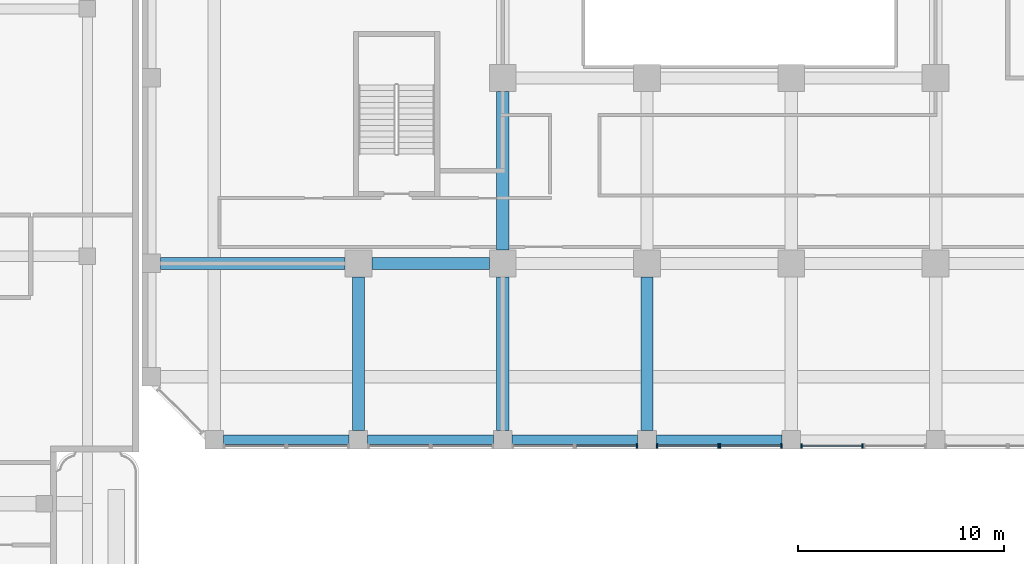
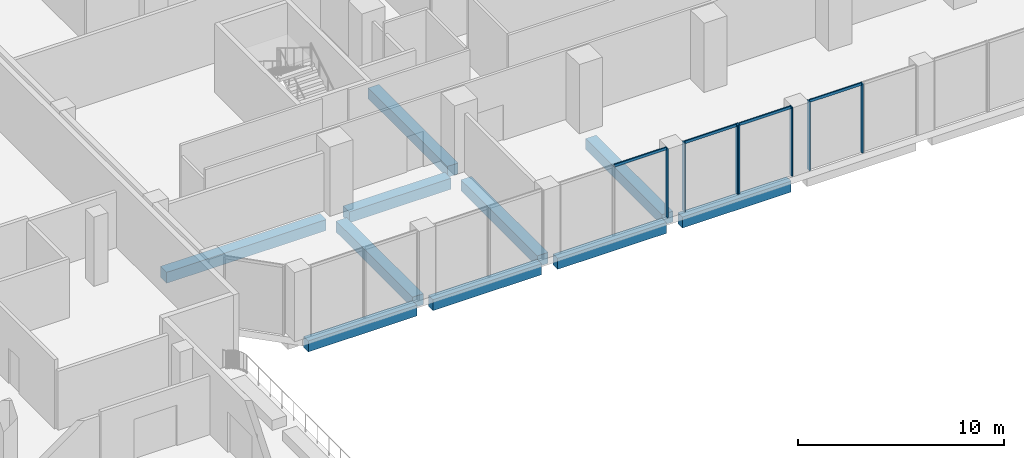
# One storey, part 3 of 35: 11 members, 10 beams, 4 elements without a shape of their own.
"""IFC4 building model written with IfcOpenShell, lengths in metres."""

from ifc_helpers import new_model, si_unit, direction, frame, origin, origin_2d, place, context, subcontext, project, spatial, rectangle, extrude, source, transform, mapped, material, material_profile, profile_set, type_object, element, aggregate, save


model = new_model("IFC4")

# Units and contexts
model_context = context("Model", 3, precision=1e-05, world=origin(), true_north=direction((0.0, 1.0)))
body_context = subcontext(model_context, "Body", "Model", "MODEL_VIEW")
ifc_project = project(units=[si_unit("LENGTHUNIT", "METRE"), si_unit("AREAUNIT", "SQUARE_METRE"), si_unit("VOLUMEUNIT", "CUBIC_METRE"), si_unit("PLANEANGLEUNIT", "RADIAN"), si_unit("MASSUNIT", "GRAM", prefix="KILO")], contexts=[model_context])

# Site, building, storey
site_placement = place(None, origin())
site = spatial("IfcSite", under=ifc_project, at=site_placement, CompositionType="ELEMENT")
building_placement = place(site_placement, origin())
building = spatial("IfcBuilding", under=site, at=building_placement, Name="Kilnfold Tower and Market Hall", CompositionType="ELEMENT")
storey_placement = place(building_placement, frame((0.0, 0.0, 13.5)))
storey = spatial("IfcBuildingStorey", under=building, at=storey_placement, Name="L02", CompositionType="ELEMENT", Elevation=13.5)

# Beams
ifc_material_1 = material(Name="Concrete C45", Category="concrete")
ifc_material_profile_1 = material_profile(ifc_material_1, rectangle(XDim=0.449951171875, YDim=0.64990234375, at=origin_2d()), Name="RC 450x650")
ifc_profile_set_1 = profile_set([ifc_material_profile_1], Name="Concrete C45")
beam_type_1 = type_object("IfcBeamType", Name="EDGE BEAM 450X650 C45", PredefinedType="BEAM", material=ifc_profile_set_1)
shared_shape_1 = source(origin(), body_context, "Body", "SweptSolid", [
    extrude(rectangle(XDim=0.449951171875, YDim=0.64990234375, at=origin_2d()), origin(), (0.0, 0.0, 1.0), 6.10009765625),
])
for number, where, z_axis, x_axis, name in (
    (1, (-24.050048828125, -27.550048828125, -0.72509765625), (1.0, 0.0, 0.0), (0.0, 1.0, 0.0), "Beam EB650-B1.1"),
    (2, (-17.050048828125, -27.550048828125, -0.72509765625), (1.0, 0.0, 0.0), (0.0, 1.0, 0.0), "Beam EB650-B1.54"),
    (3, (-10.050048828125, -27.550048828125, -0.72509765625), (1.0, 0.0, 0.0), (0.0, 1.0, 0.0), "Beam EB650-B1.2"),
    (4, (-3.050048828125, -27.550048828125, -0.72509765625), (1.0, 0.0, 0.0), (0.0, 1.0, 0.0), "Beam EB650-B1.3"),
):
    element("IfcBeam", number, at=place(storey_placement, frame(where, z_axis=z_axis, x_axis=x_axis)), inside=storey, type_object=beam_type_1, Name=name, PredefinedType="BEAM", context=body_context, shape_type="MappedRepresentation", body=[
        mapped(shared_shape_1, transform((0.0, 0.0, 0.0))),
    ])
ifc_material_2 = material(Name="Concrete C45", Category="concrete")
ifc_material_profile_2 = material_profile(ifc_material_2, rectangle(XDim=0.60009765625, YDim=0.64990234375, at=origin_2d()), Name="RC 600x650")
ifc_profile_set_2 = profile_set([ifc_material_profile_2], Name="Concrete C45")
beam_type_2 = type_object("IfcBeamType", Name="BEAM 600X650 C45", PredefinedType="BEAM", material=ifc_profile_set_2)
shared_shape_2 = source(origin(), body_context, "Body", "SweptSolid", [
    extrude(rectangle(XDim=0.60009765625, YDim=0.64990234375, at=origin_2d()), origin(), (0.0, 0.0, 1.0), 8.9501953125),
])
beam_1_placement = place(storey_placement, frame((-27.10009765625, -19.0, -0.72509765625), z_axis=(1.0, 0.0, 0.0), x_axis=(0.0, 1.0, 0.0)))
element("IfcBeam", 5, at=beam_1_placement, inside=storey, type_object=beam_type_2, Name="Beam BB650-B1.7", PredefinedType="BEAM", context=body_context, shape_type="MappedRepresentation", body=[
    mapped(shared_shape_2, transform((0.0, 0.0, 0.0))),
])
shared_shape_3 = source(origin(), body_context, "Body", "SweptSolid", [
    extrude(rectangle(XDim=0.60009765625, YDim=0.64990234375, at=origin_2d()), origin(), (0.0, 0.0, 1.0), 5.7001953125),
])
beam_2_placement = place(storey_placement, frame((-16.85009765625, -19.0, -0.72509765625), z_axis=(1.0, 0.0, 0.0), x_axis=(0.0, 1.0, 0.0)))
element("IfcBeam", 6, at=beam_2_placement, inside=storey, type_object=beam_type_2, Name="Beam BB650-B1.56", PredefinedType="BEAM", context=body_context, shape_type="MappedRepresentation", body=[
    mapped(shared_shape_3, transform((0.0, 0.0, 0.0))),
])
shared_shape_4 = source(origin(), body_context, "Body", "SweptSolid", [
    extrude(rectangle(XDim=0.60009765625, YDim=0.64990234375, at=origin_2d()), origin(), (0.0, 0.0, 1.0), 7.4501953125),
])
for number, where, z_axis, x_axis, name in (
    (7, (-17.5, -27.10009765625, -0.72509765625), (0.0, 1.0, 0.0), (-1.0, 0.0, 0.0), "Beam BB650-B1.36"),
    (8, (-10.5, -27.10009765625, -0.72509765625), (0.0, 1.0, 0.0), (-1.0, 0.0, 0.0), "Beam BB650-B1.40"),
    (9, (-3.5, -27.10009765625, -0.72509765625), (0.0, 1.0, 0.0), (-1.0, 0.0, 0.0), "Beam BB650-B1.43"),
):
    element("IfcBeam", number, at=place(storey_placement, frame(where, z_axis=z_axis, x_axis=x_axis)), inside=storey, type_object=beam_type_2, Name=name, PredefinedType="BEAM", context=body_context, shape_type="MappedRepresentation", body=[
        mapped(shared_shape_4, transform((0.0, 0.0, 0.0))),
    ])
shared_shape_5 = source(origin(), body_context, "Body", "SweptSolid", [
    extrude(rectangle(XDim=0.60009765625, YDim=0.64990234375, at=origin_2d()), origin(), (0.0, 0.0, 1.0), 7.7001953125),
])
beam_3_placement = place(storey_placement, frame((-10.5, -18.35009765625, -0.72509765625), z_axis=(0.0, 1.0, 0.0), x_axis=(-1.0, 0.0, 0.0)))
element("IfcBeam", 10, at=beam_3_placement, inside=storey, type_object=beam_type_2, Name="Beam BB650-B1.41", PredefinedType="BEAM", context=body_context, shape_type="MappedRepresentation", body=[
    mapped(shared_shape_5, transform((0.0, 0.0, 0.0))),
])

# Curtain wall, member
ifc_material_3 = material(Name="Aluminium and double glazing", Category="aluminium")
curtain_wall_type = type_object("IfcCurtainWallType", Name="CW BASE PODIUM GLAZING", PredefinedType="NOTDEFINED", material=ifc_material_3)
curtain_wall_1_placement = place(storey_placement, origin())
curtain_wall_1 = element("IfcCurtainWall", 11, at=curtain_wall_1_placement, inside=storey, type_object=curtain_wall_type, Name="Curtain wall CW4 L02 S", PredefinedType="NOTDEFINED")
ifc_material_4 = material(Name="Aluminium", Category="aluminium")
ifc_material_profile_3 = material_profile(ifc_material_4, rectangle(XDim=0.070068359375, YDim=0.219970703125, at=origin_2d()), Name="MULLION 70x220")
ifc_profile_set_3 = profile_set([ifc_material_profile_3], Name="Aluminium")
member_type_1 = type_object("IfcMemberType", Name="MULLION 70X220", PredefinedType="MULLION", material=ifc_profile_set_3)
shared_shape_6 = source(origin(), body_context, "Body", "SweptSolid", [
    extrude(rectangle(XDim=0.070068359375, YDim=0.219970703125, at=origin_2d()), origin(), (0.0, 0.0, 1.0), 4.10009765625),
])
member_1_placement = place(storey_placement, frame((-3.985107421875, -27.85009765625, 0.0), z_axis=(0.0, 0.0, 1.0), x_axis=(1.0, 0.0, 0.0)))
member_1 = element("IfcMember", 12, at=member_1_placement, type_object=member_type_1, Name="CW4 mullion 2", PredefinedType="MULLION", context=body_context, shape_type="MappedRepresentation", body=[
    mapped(shared_shape_6, transform((0.0, 0.0, 0.0))),
])

# Curtain wall, members
curtain_wall_2_placement = place(storey_placement, origin())
curtain_wall_2 = element("IfcCurtainWall", 13, at=curtain_wall_2_placement, inside=storey, type_object=curtain_wall_type, Name="Curtain wall CW4 L02 S", PredefinedType="NOTDEFINED")
member_2_placement = place(storey_placement, frame((-3.014892578125, -27.85009765625, 0.0), z_axis=(0.0, 0.0, 1.0), x_axis=(1.0, 0.0, 0.0)))
member_2 = element("IfcMember", 14, at=member_2_placement, type_object=member_type_1, Name="CW4 mullion 1", PredefinedType="MULLION", context=body_context, shape_type="MappedRepresentation", body=[
    mapped(shared_shape_6, transform((0.0, 0.0, 0.0))),
])
member_3_placement = place(storey_placement, frame((-0.034912109375, -27.85009765625, 0.0), z_axis=(0.0, 0.0, 1.0), x_axis=(1.0, 0.0, 0.0)))
member_3 = element("IfcMember", 15, at=member_3_placement, type_object=member_type_1, Name="CW4 mullion 2", PredefinedType="MULLION", context=body_context, shape_type="MappedRepresentation", body=[
    mapped(shared_shape_6, transform((0.0, 0.0, 0.0))),
])

curtain_wall_3_placement = place(storey_placement, origin())
curtain_wall_3 = element("IfcCurtainWall", 16, at=curtain_wall_3_placement, inside=storey, type_object=curtain_wall_type, Name="Curtain wall CW4 L02 S", PredefinedType="NOTDEFINED")
member_4_placement = place(storey_placement, frame((0.034912109375, -27.85009765625, 0.0), z_axis=(0.0, 0.0, 1.0), x_axis=(1.0, 0.0, 0.0)))
member_4 = element("IfcMember", 17, at=member_4_placement, type_object=member_type_1, Name="CW4 mullion 1", PredefinedType="MULLION", context=body_context, shape_type="MappedRepresentation", body=[
    mapped(shared_shape_6, transform((0.0, 0.0, 0.0))),
])
member_5_placement = place(storey_placement, frame((3.014892578125, -27.85009765625, 0.0), z_axis=(0.0, 0.0, 1.0), x_axis=(1.0, 0.0, 0.0)))
member_5 = element("IfcMember", 18, at=member_5_placement, type_object=member_type_1, Name="CW4 mullion 2", PredefinedType="MULLION", context=body_context, shape_type="MappedRepresentation", body=[
    mapped(shared_shape_6, transform((0.0, 0.0, 0.0))),
])

curtain_wall_4_placement = place(storey_placement, origin())
curtain_wall_4 = element("IfcCurtainWall", 19, at=curtain_wall_4_placement, inside=storey, type_object=curtain_wall_type, Name="Curtain wall CW4 L02 S", PredefinedType="NOTDEFINED")
member_6_placement = place(storey_placement, frame((3.985107421875, -27.85009765625, 0.0), z_axis=(0.0, 0.0, 1.0), x_axis=(1.0, 0.0, 0.0)))
member_6 = element("IfcMember", 20, at=member_6_placement, type_object=member_type_1, Name="CW4 mullion 1", PredefinedType="MULLION", context=body_context, shape_type="MappedRepresentation", body=[
    mapped(shared_shape_6, transform((0.0, 0.0, 0.0))),
])
member_7_placement = place(storey_placement, frame((6.965087890625, -27.85009765625, 0.0), z_axis=(0.0, 0.0, 1.0), x_axis=(1.0, 0.0, 0.0)))
member_7 = element("IfcMember", 21, at=member_7_placement, type_object=member_type_1, Name="CW4 mullion 2", PredefinedType="MULLION", context=body_context, shape_type="MappedRepresentation", body=[
    mapped(shared_shape_6, transform((0.0, 0.0, 0.0))),
])

# Member
ifc_material_5 = material(Name="Aluminium", Category="aluminium")
ifc_material_profile_4 = material_profile(ifc_material_5, rectangle(XDim=0.070068359375, YDim=0.159912109375, at=origin_2d()), Name="TRANSOM 70x160")
ifc_profile_set_4 = profile_set([ifc_material_profile_4], Name="Aluminium")
member_type_2 = type_object("IfcMemberType", Name="TRANSOM 70X160", PredefinedType="USERDEFINED", material=ifc_profile_set_4)
shared_shape_7 = source(origin(), body_context, "Body", "SweptSolid", [
    extrude(rectangle(XDim=0.070068359375, YDim=0.159912109375, at=origin_2d()), origin(), (0.0, 0.0, 1.0), 2.909912109375),
])
member_8_placement = place(storey_placement, frame((-6.929931640625, -27.85009765625, 4.06494140625), z_axis=(1.0, 0.0, 0.0), x_axis=(0.0, 1.0, 0.0)))
member_8 = element("IfcMember", 22, at=member_8_placement, type_object=member_type_2, Name="CW4 transom 1.2", ObjectType="TRANSOM", PredefinedType="USERDEFINED", context=body_context, shape_type="MappedRepresentation", body=[
    mapped(shared_shape_7, transform((0.0, 0.0, 0.0))),
])

aggregate(curtain_wall_1, [member_1, member_8])

member_9_placement = place(storey_placement, frame((-2.97998046875, -27.85009765625, 4.06494140625), z_axis=(1.0, 0.0, 0.0), x_axis=(0.0, 1.0, 0.0)))
member_9 = element("IfcMember", 23, at=member_9_placement, type_object=member_type_2, Name="CW4 transom 1.2", ObjectType="TRANSOM", PredefinedType="USERDEFINED", context=body_context, shape_type="MappedRepresentation", body=[
    mapped(shared_shape_7, transform((0.0, 0.0, 0.0))),
])

aggregate(curtain_wall_2, [member_2, member_3, member_9])

member_10_placement = place(storey_placement, frame((0.070068359375, -27.85009765625, 4.06494140625), z_axis=(1.0, 0.0, 0.0), x_axis=(0.0, 1.0, 0.0)))
member_10 = element("IfcMember", 24, at=member_10_placement, type_object=member_type_2, Name="CW4 transom 1.2", ObjectType="TRANSOM", PredefinedType="USERDEFINED", context=body_context, shape_type="MappedRepresentation", body=[
    mapped(shared_shape_7, transform((0.0, 0.0, 0.0))),
])

aggregate(curtain_wall_3, [member_4, member_5, member_10])

member_11_placement = place(storey_placement, frame((4.02001953125, -27.85009765625, 4.06494140625), z_axis=(1.0, 0.0, 0.0), x_axis=(0.0, 1.0, 0.0)))
member_11 = element("IfcMember", 25, at=member_11_placement, type_object=member_type_2, Name="CW4 transom 1.2", ObjectType="TRANSOM", PredefinedType="USERDEFINED", context=body_context, shape_type="MappedRepresentation", body=[
    mapped(shared_shape_7, transform((0.0, 0.0, 0.0))),
])

aggregate(curtain_wall_4, [member_6, member_7, member_11])

save(model, "model.ifc")
